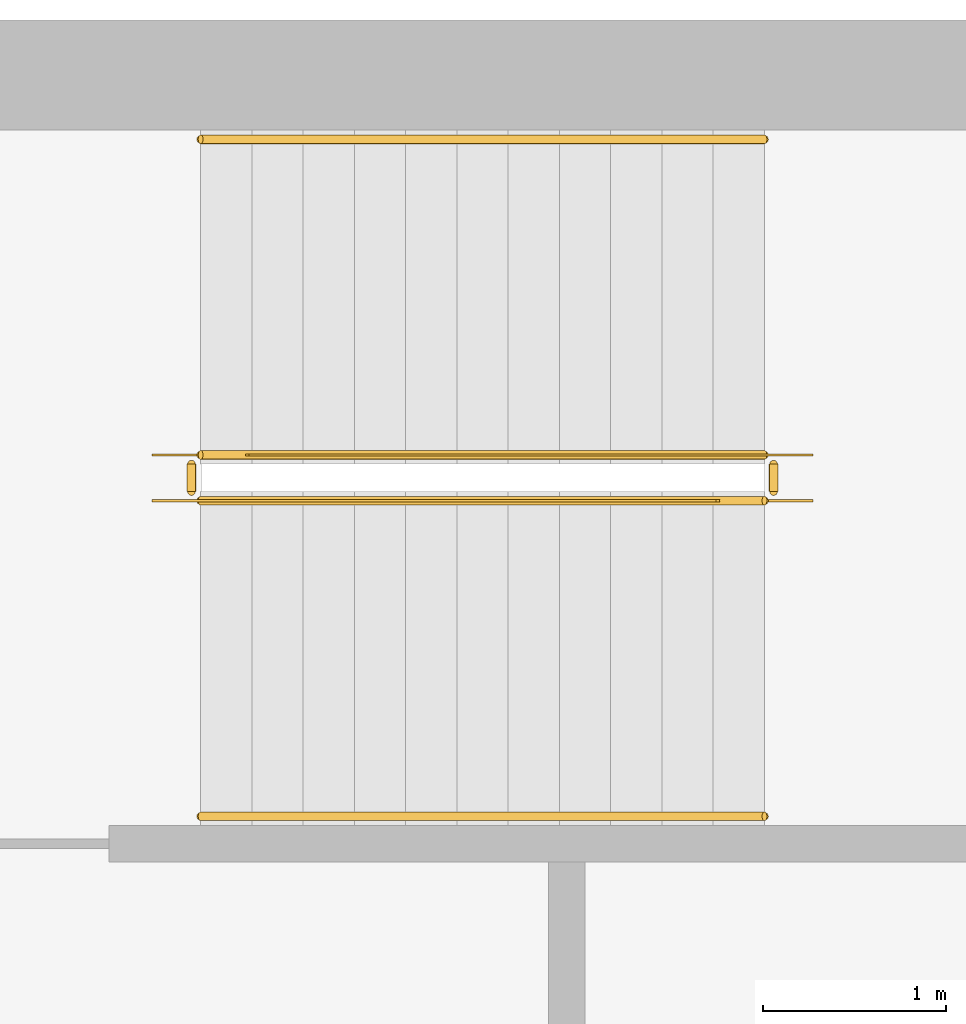
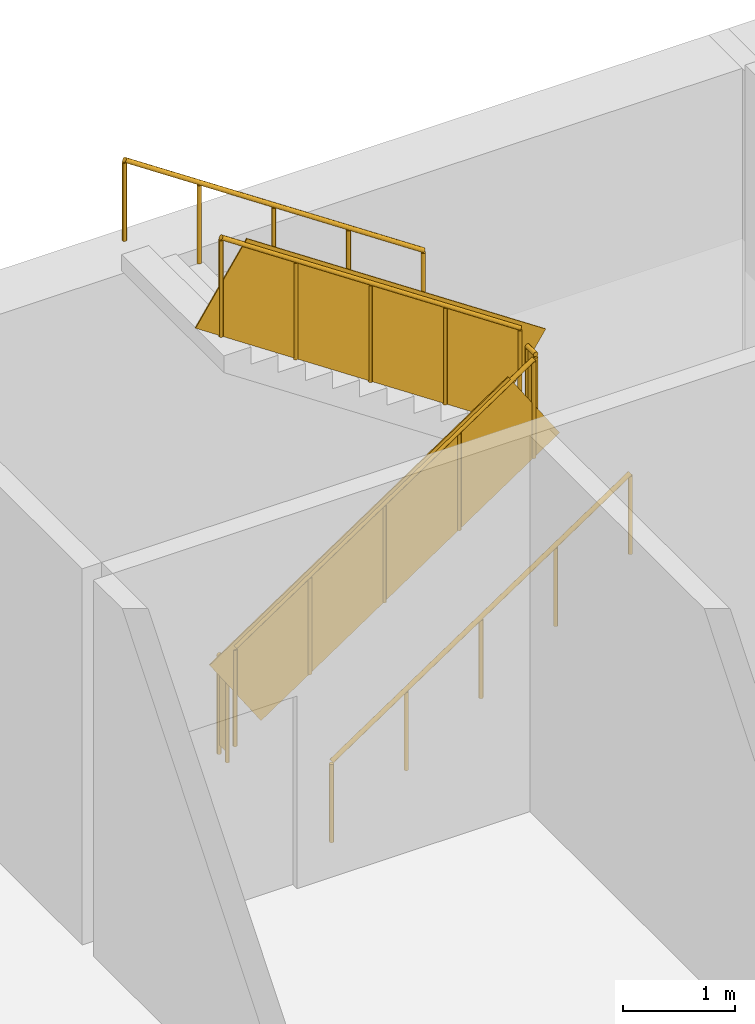
# One storey, part 10 of 11: 6 railings.
"""IFC4 building model written with IfcOpenShell, lengths in metres."""

from ifc_helpers import new_model, si_unit, direction, frame, origin, origin_2d, place, context, subcontext, project, spatial, rectangle, circle, extrude, material, type_object, element, save


model = new_model("IFC4")

# Units and contexts
model_context = context("Model", 3, precision=1e-05, world=origin(), true_north=direction((0.0, 1.0)))
body_context = subcontext(model_context, "Body", "Model", "MODEL_VIEW")
ifc_project = project(units=[si_unit("LENGTHUNIT", "METRE"), si_unit("AREAUNIT", "SQUARE_METRE"), si_unit("VOLUMEUNIT", "CUBIC_METRE"), si_unit("PLANEANGLEUNIT", "RADIAN"), si_unit("MASSUNIT", "GRAM", prefix="KILO")], contexts=[model_context])

# Site, building, storey
site_placement = place(None, origin())
site = spatial("IfcSite", under=ifc_project, at=site_placement, CompositionType="ELEMENT")
building_placement = place(site_placement, origin())
building = spatial("IfcBuilding", under=site, at=building_placement, Name="Dilmun Exchange Tower", CompositionType="ELEMENT")
storey_placement = place(building_placement, frame((0.0, 0.0, -4.5)))
storey = spatial("IfcBuildingStorey", under=building, at=storey_placement, Name="B1", CompositionType="ELEMENT", Elevation=-4.5)

# Railings
ifc_material_1 = material(Name="Guard 1100")
railing_type_1 = type_object("IfcRailingType", Name="Guard 1100", PredefinedType="GUARDRAIL", material=ifc_material_1)
railing_1_placement = place(storey_placement, frame((-24.5, 33.3740234375, 0.1875)))
element("IfcRailing", 1, at=railing_1_placement, inside=storey, type_object=railing_type_1, Name="B1 PS1 stair guard 1", PredefinedType="GUARDRAIL", context=body_context, shape_type="SweptSolid", body=[
    extrude(circle(Radius=0.02392578125, at=origin_2d()), frame((0.0, 0.0, 1.076171875), z_axis=(0.830913701846, 0.0, 0.55640131208), x_axis=(0.0, 1.0, 0.0)), (0.0, 0.0, 1.0), 3.706787109375),
    extrude(rectangle(XDim=0.011962890625, YDim=0.951904296875, at=origin_2d()), frame((0.0, 0.0, 0.576171875), z_axis=(0.830913701846, 0.0, 0.55640131208), x_axis=(0.0, 1.0, 0.0)), (0.0, 0.0, 1.0), 3.706787109375),
    extrude(circle(Radius=0.02099609375, at=origin_2d()), origin(), (0.0, 0.0, 1.0), 1.052001953125),
    extrude(circle(Radius=0.02099609375, at=origin_2d()), frame((0.77001953125, 0.0, 0.515625)), (0.0, 0.0, 1.0), 1.052001953125),
    extrude(circle(Radius=0.02099609375, at=origin_2d()), frame((1.5400390625, 0.0, 1.03125)), (0.0, 0.0, 1.0), 1.052001953125),
    extrude(circle(Radius=0.02099609375, at=origin_2d()), frame((2.31005859375, 0.0, 1.546875)), (0.0, 0.0, 1.0), 1.052001953125),
    extrude(circle(Radius=0.02099609375, at=origin_2d()), frame((3.080078125, 0.0, 2.0625)), (0.0, 0.0, 1.0), 1.052001953125),
])
railing_2_placement = place(storey_placement, frame((-21.3701171875, 33.424072265625, 2.25)))
element("IfcRailing", 2, at=railing_2_placement, inside=storey, type_object=railing_type_1, Name="B1 PS1 stair guard 2", PredefinedType="GUARDRAIL", context=body_context, shape_type="SweptSolid", body=[
    extrude(circle(Radius=0.02392578125, at=origin_2d()), frame((0.0, 0.0, 1.076171875), z_axis=(0.0, 1.0, 0.0), x_axis=(-1.0, 0.0, 0.0)), (0.0, 0.0, 1.0), 0.14990234375),
    extrude(rectangle(XDim=0.011962890625, YDim=0.951904296875, at=origin_2d()), frame((0.0, 0.0, 0.576171875), z_axis=(0.0, 1.0, 0.0), x_axis=(-1.0, 0.0, 0.0)), (0.0, 0.0, 1.0), 0.14990234375),
    extrude(circle(Radius=0.02099609375, at=origin_2d()), origin(), (0.0, 0.0, 1.0), 1.052001953125),
    extrude(circle(Radius=0.02099609375, at=origin_2d()), frame((0.0, 0.14990234375, 0.0)), (0.0, 0.0, 1.0), 1.052001953125),
])
railing_3_placement = place(storey_placement, frame((-21.419921875, 33.6240234375, 2.4375)))
element("IfcRailing", 3, at=railing_3_placement, inside=storey, type_object=railing_type_1, Name="B1 PS1 stair guard 3", PredefinedType="GUARDRAIL", context=body_context, shape_type="SweptSolid", body=[
    extrude(circle(Radius=0.02392578125, at=origin_2d()), frame((0.0, 0.0, 1.076171875), z_axis=(-0.830913701846, 0.0, 0.55640131208), x_axis=(0.0, -1.0, 0.0)), (0.0, 0.0, 1.0), 3.706787109375),
    extrude(rectangle(XDim=0.011962890625, YDim=0.951904296875, at=origin_2d()), frame((0.0, 0.0, 0.576171875), z_axis=(-0.830913701846, 0.0, 0.55640131208), x_axis=(0.0, -1.0, 0.0)), (0.0, 0.0, 1.0), 3.706787109375),
    extrude(circle(Radius=0.02099609375, at=origin_2d()), origin(), (0.0, 0.0, 1.0), 1.052001953125),
    extrude(circle(Radius=0.02099609375, at=origin_2d()), frame((-0.77001953125, 0.0, 0.515625)), (0.0, 0.0, 1.0), 1.052001953125),
    extrude(circle(Radius=0.02099609375, at=origin_2d()), frame((-1.5400390625, 0.0, 1.03125)), (0.0, 0.0, 1.0), 1.052001953125),
    extrude(circle(Radius=0.02099609375, at=origin_2d()), frame((-2.31005859375, 0.0, 1.546875)), (0.0, 0.0, 1.0), 1.052001953125),
    extrude(circle(Radius=0.02099609375, at=origin_2d()), frame((-3.080078125, 0.0, 2.0625)), (0.0, 0.0, 1.0), 1.052001953125),
])
railing_4_placement = place(storey_placement, frame((-24.550048828125, 33.424072265625, 0.0)))
element("IfcRailing", 4, at=railing_4_placement, inside=storey, type_object=railing_type_1, Name="B1 PS1 stair guard 4", PredefinedType="GUARDRAIL", context=body_context, shape_type="SweptSolid", body=[
    extrude(circle(Radius=0.02392578125, at=origin_2d()), frame((0.0, 0.0, 1.076171875), z_axis=(0.0, 1.0, 0.0), x_axis=(-1.0, 0.0, 0.0)), (0.0, 0.0, 1.0), 0.14990234375),
    extrude(rectangle(XDim=0.011962890625, YDim=0.951904296875, at=origin_2d()), frame((0.0, 0.0, 0.576171875), z_axis=(0.0, 1.0, 0.0), x_axis=(-1.0, 0.0, 0.0)), (0.0, 0.0, 1.0), 0.14990234375),
    extrude(circle(Radius=0.02099609375, at=origin_2d()), origin(), (0.0, 0.0, 1.0), 1.052001953125),
    extrude(circle(Radius=0.02099609375, at=origin_2d()), frame((0.0, 0.14990234375, 0.0)), (0.0, 0.0, 1.0), 1.052001953125),
])
ifc_material_2 = material(Name="Handrail 900")
railing_type_2 = type_object("IfcRailingType", Name="Handrail 900", PredefinedType="HANDRAIL", material=ifc_material_2)
railing_5_placement = place(storey_placement, frame((-24.5, 31.64990234375, 0.1875)))
element("IfcRailing", 5, at=railing_5_placement, inside=storey, type_object=railing_type_2, Name="B1 PS1 stair handrail 1", PredefinedType="HANDRAIL", context=body_context, shape_type="SweptSolid", body=[
    extrude(circle(Radius=0.02392578125, at=origin_2d()), frame((0.0, 0.0, 0.8759765625), z_axis=(0.830913701846, 0.0, 0.55640131208), x_axis=(0.0, 1.0, 0.0)), (0.0, 0.0, 1.0), 3.706787109375),
    extrude(circle(Radius=0.02099609375, at=origin_2d()), origin(), (0.0, 0.0, 1.0), 0.851806640625),
    extrude(circle(Radius=0.02099609375, at=origin_2d()), frame((0.77001953125, 0.0, 0.515625)), (0.0, 0.0, 1.0), 0.851806640625),
    extrude(circle(Radius=0.02099609375, at=origin_2d()), frame((1.5400390625, 0.0, 1.03125)), (0.0, 0.0, 1.0), 0.851806640625),
    extrude(circle(Radius=0.02099609375, at=origin_2d()), frame((2.31005859375, 0.0, 1.546875)), (0.0, 0.0, 1.0), 0.851806640625),
    extrude(circle(Radius=0.02099609375, at=origin_2d()), frame((3.080078125, 0.0, 2.0625)), (0.0, 0.0, 1.0), 0.851806640625),
])
railing_6_placement = place(storey_placement, frame((-21.419921875, 35.347900390625, 2.4375)))
element("IfcRailing", 6, at=railing_6_placement, inside=storey, type_object=railing_type_2, Name="B1 PS1 stair handrail 2", PredefinedType="HANDRAIL", context=body_context, shape_type="SweptSolid", body=[
    extrude(circle(Radius=0.02392578125, at=origin_2d()), frame((0.0, 0.0, 0.8759765625), z_axis=(-0.830913701846, 0.0, 0.55640131208), x_axis=(0.0, -1.0, 0.0)), (0.0, 0.0, 1.0), 3.706787109375),
    extrude(circle(Radius=0.02099609375, at=origin_2d()), origin(), (0.0, 0.0, 1.0), 0.851806640625),
    extrude(circle(Radius=0.02099609375, at=origin_2d()), frame((-0.77001953125, 0.0, 0.515625)), (0.0, 0.0, 1.0), 0.851806640625),
    extrude(circle(Radius=0.02099609375, at=origin_2d()), frame((-1.5400390625, 0.0, 1.03125)), (0.0, 0.0, 1.0), 0.851806640625),
    extrude(circle(Radius=0.02099609375, at=origin_2d()), frame((-2.31005859375, 0.0, 1.546875)), (0.0, 0.0, 1.0), 0.851806640625),
    extrude(circle(Radius=0.02099609375, at=origin_2d()), frame((-3.080078125, 0.0, 2.0625)), (0.0, 0.0, 1.0), 0.851806640625),
])

save(model, "model.ifc")
